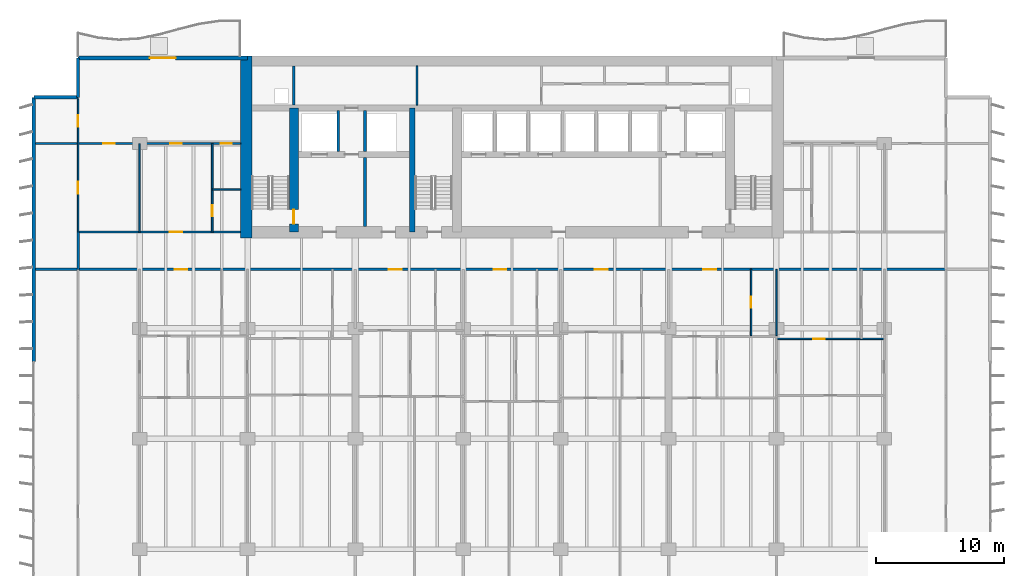
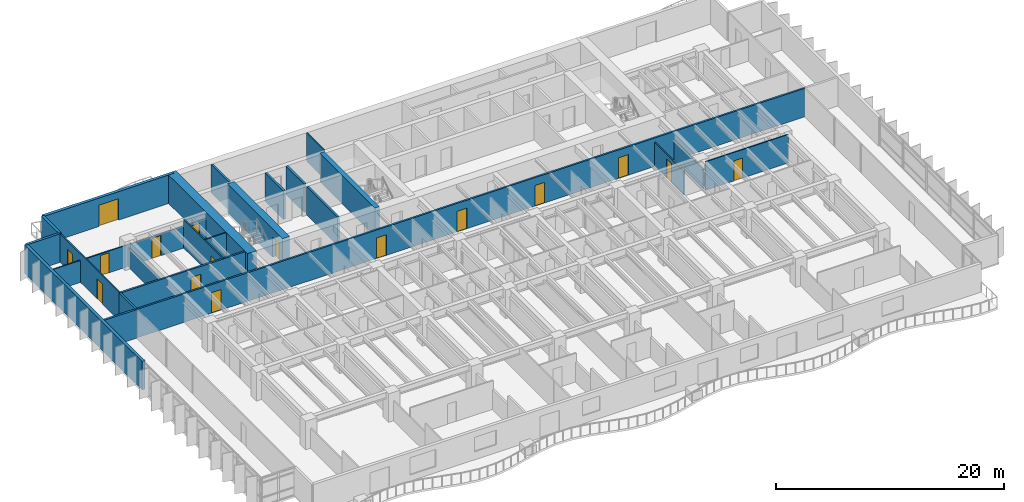
# One storey, part 10 of 18: 24 walls, 16 doors, 16 openings.
"""IFC4 building model written with IfcOpenShell, lengths in metres."""

from ifc_helpers import new_model, si_unit, direction, frame, frame_2d, origin, place, context, subcontext, project, spatial, rectangle, extrude, material, layer, layer_set, type_object, element, fill, save


model = new_model("IFC4")

# Units and contexts
model_context = context("Model", 3, precision=1e-05, world=origin(), true_north=direction((0.0, 1.0)))
body_context = subcontext(model_context, "Body", "Model", "MODEL_VIEW")
ifc_project = project(units=[si_unit("LENGTHUNIT", "METRE"), si_unit("AREAUNIT", "SQUARE_METRE"), si_unit("VOLUMEUNIT", "CUBIC_METRE"), si_unit("PLANEANGLEUNIT", "RADIAN"), si_unit("MASSUNIT", "GRAM", prefix="KILO")], contexts=[model_context])

# Site, building, storey
site_placement = place(None, origin())
site = spatial("IfcSite", under=ifc_project, at=site_placement, CompositionType="ELEMENT")
building_placement = place(site_placement, origin())
building = spatial("IfcBuilding", under=site, at=building_placement, Name="Caelmar Bay Residences", CompositionType="ELEMENT")
storey_placement = place(building_placement, frame((0.0, 0.0, 39.89990234375)))
storey = spatial("IfcBuildingStorey", under=building, at=storey_placement, Name="L09", CompositionType="ELEMENT", Elevation=39.89990234375)

# Wall, opening, door
ifc_material_1 = material(Name="Concrete f'c 55 MPa (8,000 psi)", Category="concrete")
ifc_layer_1 = layer(ifc_material_1, 0.699951171875)
ifc_layer_set_1 = layer_set([ifc_layer_1], Name="Concrete f'c 55 MPa (8,000 psi)")
wall_type_1 = type_object("IfcWallType", Name="SW-COR-700", PredefinedType="SHEAR", material=ifc_layer_set_1)
wall_1_placement = place(storey_placement, frame((21.89990234375, 36.89990234375, 0.0), z_axis=(0.0, 0.0, 1.0), x_axis=(0.0, 1.0, 0.0)))
wall_1 = element("IfcWall", 1, at=wall_1_placement, inside=storey, type_object=wall_type_1, Name="L09 Core Structural Web Wall ST1E", PredefinedType="SHEAR", context=body_context, shape_type="SweptSolid", body=[
    extrude(rectangle(XDim=9.675048828125, YDim=0.699951171875, at=frame_2d((4.83740234375, 0.0))), origin(), (0.0, 0.0, 1.0), 3.050048828125),
])
opening_1_placement = place(wall_1_placement, frame((0.64990234375, 0.0, 0.0)))
opening_1 = element("IfcOpeningElement", 2, at=opening_1_placement, cuts=wall_1, Name="Opening D-L09-108", PredefinedType="OPENING", context=body_context, shape_type="SweptSolid", body=[
    extrude(rectangle(XDim=1.10009765625, YDim=2.14990234375, at=frame_2d((0.550048828125, 1.074951171875))), frame((0.0, 0.35986328125, 0.0), z_axis=(0.0, -1.0, 0.0), x_axis=(1.0, 0.0, 0.0)), (0.0, 0.0, 1.0), 0.719970703125),
])
ifc_material_2 = material(Name="Fire-rated steel and walnut architectural door assembly", Category="steel")
ifc_layer_2 = layer(ifc_material_2, 0.050048828125)
ifc_layer_set_2 = layer_set([ifc_layer_2], Name="Fire-rated steel and walnut architectural door assembly")
door_type_1 = type_object("IfcDoorType", Name="D-STAIR-1100", OperationType="NOTDEFINED", PredefinedType="DOOR", material=ifc_layer_set_2)
door_1_placement = place(opening_1_placement, origin())
door_1 = element("IfcDoor", 3, at=door_1_placement, inside=storey, type_object=door_type_1, Name="L09 Firefighting Lobby West Door", OperationType="SINGLE_SWING_LEFT", OverallHeight=2.14990234375, OverallWidth=1.10009765625, PredefinedType="DOOR", context=body_context, shape_type="SweptSolid", body=[
    extrude(rectangle(XDim=1.10009765625, YDim=2.14990234375, at=frame_2d((0.550048828125, 1.074951171875))), frame((0.0, 0.02490234375, 0.0), z_axis=(0.0, -1.0, 0.0), x_axis=(1.0, 0.0, 0.0)), (0.0, 0.0, 1.0), 0.050048828125),
])
fill(opening_1, door_1)

# Walls
ifc_material_3 = material(Name="Concrete f'c 70 MPa (10,000 psi)", Category="concrete")
ifc_layer_3 = layer(ifc_material_3, 0.89990234375)
ifc_layer_set_3 = layer_set([ifc_layer_3], Name="Concrete f'c 70 MPa (10,000 psi)")
wall_type_2 = type_object("IfcWallType", Name="SW-COR-900", PredefinedType="SHEAR", material=ifc_layer_set_3)
wall_2_placement = place(storey_placement, frame((18.199951171875, 36.449951171875, 0.0), z_axis=(0.0, 0.0, 1.0), x_axis=(0.0, 1.0, 0.0)))
element("IfcWall", 4, at=wall_2_placement, inside=storey, type_object=wall_type_2, Name="L09 Rear Core West Shear Wall", PredefinedType="SHEAR", context=body_context, shape_type="SweptSolid", body=[
    extrude(rectangle(XDim=14.150146484375, YDim=0.89990234375, at=frame_2d((7.0751953125, 0.0))), origin(), (0.0, 0.0, 1.0), 3.050048828125),
])
ifc_layer_4 = layer(ifc_material_3, 0.449951171875)
ifc_layer_set_4 = layer_set([ifc_layer_4], Name="Concrete f'c 70 MPa (10,000 psi)")
wall_type_3 = type_object("IfcWallType", Name="SW-WEB-450", PredefinedType="SHEAR", material=ifc_layer_set_4)
wall_3_placement = place(storey_placement, frame((31.125, 36.89990234375, 0.0), z_axis=(0.0, 0.0, 1.0), x_axis=(0.0, 1.0, 0.0)))
element("IfcWall", 5, at=wall_3_placement, inside=storey, type_object=wall_type_3, Name="L09 Core Structural Web Wall ST3W", PredefinedType="SHEAR", context=body_context, shape_type="SweptSolid", body=[
    extrude(rectangle(XDim=9.675048828125, YDim=0.449951171875, at=frame_2d((4.83740234375, 0.0))), origin(), (0.0, 0.0, 1.0), 3.050048828125),
])
ifc_material_4 = material(Name="Double-stud acoustic fire-rated gypsum partition 180 mm")
ifc_layer_5 = layer(ifc_material_4, 0.179931640625)
ifc_layer_set_5 = layer_set([ifc_layer_5], Name="Double-stud acoustic fire-rated gypsum partition 180 mm")
wall_type_4 = type_object("IfcWallType", Name="W-COR-200", PredefinedType="PARTITIONING", material=ifc_layer_set_5)
wall_4_placement = place(storey_placement, frame((5.10009765625, 34.0048828125, 0.0), z_axis=(0.0, 0.0, 1.0), x_axis=(0.0, 1.0, 0.0)))
element("IfcWall", 6, at=wall_4_placement, inside=storey, type_object=wall_type_4, Name="L09 Partition Wall V006", PredefinedType="PARTITIONING", context=body_context, shape_type="SweptSolid", body=[
    extrude(rectangle(XDim=2.89501953125, YDim=0.179931640625, at=frame_2d((1.447509765625, 0.0))), origin(), (0.0, 0.0, 1.0), 3.050048828125),
])

# Wall, openings, doors
wall_5_placement = place(storey_placement, frame((5.10498046875, 34.0, 0.0), z_axis=(0.0, 0.0, 1.0), x_axis=(1.0, 0.0, 0.0)))
wall_5 = element("IfcWall", 7, at=wall_5_placement, inside=storey, type_object=wall_type_4, Name="L09 Partition Wall H132", PredefinedType="PARTITIONING", context=body_context, shape_type="SweptSolid", body=[
    extrude(rectangle(XDim=67.594970703125, YDim=0.179931640625, at=frame_2d((33.79736328125, 0.0))), origin(), (0.0, 0.0, 1.0), 3.050048828125),
])
opening_2_placement = place(wall_5_placement, frame((7.50439453125, 0.0, 0.0)))
opening_2 = element("IfcOpeningElement", 8, at=opening_2_placement, cuts=wall_5, Name="Opening D-L09-121", PredefinedType="OPENING", context=body_context, shape_type="SweptSolid", body=[
    extrude(rectangle(XDim=1.0, YDim=2.199951171875, at=frame_2d((0.5, 1.10009765625))), frame((0.0, 0.099853515625, 0.0), z_axis=(0.0, -1.0, 0.0), x_axis=(1.0, 0.0, 0.0)), (0.0, 0.0, 1.0), 0.199951171875),
])
opening_3_placement = place(wall_5_placement, frame((24.212890625, 0.0, 0.0)))
opening_3 = element("IfcOpeningElement", 9, at=opening_3_placement, cuts=wall_5, Name="Opening D-L09-132", PredefinedType="OPENING", context=body_context, shape_type="SweptSolid", body=[
    extrude(rectangle(XDim=1.0, YDim=2.199951171875, at=frame_2d((0.5, 1.10009765625))), frame((0.0, 0.099853515625, 0.0), z_axis=(0.0, -1.0, 0.0), x_axis=(1.0, 0.0, 0.0)), (0.0, 0.0, 1.0), 0.199951171875),
])
opening_4_placement = place(wall_5_placement, frame((32.364990234375, 0.0, 0.0)))
opening_4 = element("IfcOpeningElement", 10, at=opening_4_placement, cuts=wall_5, Name="Opening D-L09-139", PredefinedType="OPENING", context=body_context, shape_type="SweptSolid", body=[
    extrude(rectangle(XDim=1.0, YDim=2.199951171875, at=frame_2d((0.5, 1.10009765625))), frame((0.0, 0.099853515625, 0.0), z_axis=(0.0, -1.0, 0.0), x_axis=(1.0, 0.0, 0.0)), (0.0, 0.0, 1.0), 0.199951171875),
])
opening_5_placement = place(wall_5_placement, frame((40.239501953125, 0.0, 0.0)))
opening_5 = element("IfcOpeningElement", 11, at=opening_5_placement, cuts=wall_5, Name="Opening D-L09-146", PredefinedType="OPENING", context=body_context, shape_type="SweptSolid", body=[
    extrude(rectangle(XDim=1.0, YDim=2.199951171875, at=frame_2d((0.5, 1.10009765625))), frame((0.0, 0.099853515625, 0.0), z_axis=(0.0, -1.0, 0.0), x_axis=(1.0, 0.0, 0.0)), (0.0, 0.0, 1.0), 0.199951171875),
])
opening_6_placement = place(wall_5_placement, frame((48.70849609375, 0.0, 0.0)))
opening_6 = element("IfcOpeningElement", 12, at=opening_6_placement, cuts=wall_5, Name="Opening D-L09-153", PredefinedType="OPENING", context=body_context, shape_type="SweptSolid", body=[
    extrude(rectangle(XDim=1.0, YDim=2.199951171875, at=frame_2d((0.5, 1.10009765625))), frame((0.0, 0.099853515625, 0.0), z_axis=(0.0, -1.0, 0.0), x_axis=(1.0, 0.0, 0.0)), (0.0, 0.0, 1.0), 0.199951171875),
])
ifc_layer_6 = layer(ifc_material_2, 0.050048828125)
ifc_layer_set_6 = layer_set([ifc_layer_6], Name="Fire-rated steel and walnut architectural door assembly")
door_type_2 = type_object("IfcDoorType", Name="D-UNIT-1000", OperationType="NOTDEFINED", PredefinedType="DOOR", material=ifc_layer_set_6)
door_2_placement = place(opening_2_placement, origin())
door_2 = element("IfcDoor", 13, at=door_2_placement, inside=storey, type_object=door_type_2, Name="L09 Residence 01 Apartment Hall Door", OperationType="SINGLE_SWING_RIGHT", OverallHeight=2.199951171875, OverallWidth=1.0, PredefinedType="DOOR", context=body_context, shape_type="SweptSolid", body=[
    extrude(rectangle(XDim=1.0, YDim=2.199951171875, at=frame_2d((0.5, 1.10009765625))), frame((0.0, 0.02490234375, 0.0), z_axis=(0.0, -1.0, 0.0), x_axis=(1.0, 0.0, 0.0)), (0.0, 0.0, 1.0), 0.050048828125),
])
fill(opening_2, door_2)
door_3_placement = place(opening_3_placement, origin())
door_3 = element("IfcDoor", 14, at=door_3_placement, inside=storey, type_object=door_type_2, Name="L09 Residence 02 Apartment Hall Door", OperationType="SINGLE_SWING_LEFT", OverallHeight=2.199951171875, OverallWidth=1.0, PredefinedType="DOOR", context=body_context, shape_type="SweptSolid", body=[
    extrude(rectangle(XDim=1.0, YDim=2.199951171875, at=frame_2d((0.5, 1.10009765625))), frame((0.0, 0.02490234375, 0.0), z_axis=(0.0, -1.0, 0.0), x_axis=(1.0, 0.0, 0.0)), (0.0, 0.0, 1.0), 0.050048828125),
])
fill(opening_3, door_3)
door_4_placement = place(opening_4_placement, origin())
door_4 = element("IfcDoor", 15, at=door_4_placement, inside=storey, type_object=door_type_2, Name="L09 Residence 03 Apartment Hall Door", OperationType="SINGLE_SWING_RIGHT", OverallHeight=2.199951171875, OverallWidth=1.0, PredefinedType="DOOR", context=body_context, shape_type="SweptSolid", body=[
    extrude(rectangle(XDim=1.0, YDim=2.199951171875, at=frame_2d((0.5, 1.10009765625))), frame((0.0, 0.02490234375, 0.0), z_axis=(0.0, -1.0, 0.0), x_axis=(1.0, 0.0, 0.0)), (0.0, 0.0, 1.0), 0.050048828125),
])
fill(opening_4, door_4)
door_5_placement = place(opening_5_placement, origin())
door_5 = element("IfcDoor", 16, at=door_5_placement, inside=storey, type_object=door_type_2, Name="L09 Residence 04 Apartment Hall Door", OperationType="SINGLE_SWING_LEFT", OverallHeight=2.199951171875, OverallWidth=1.0, PredefinedType="DOOR", context=body_context, shape_type="SweptSolid", body=[
    extrude(rectangle(XDim=1.0, YDim=2.199951171875, at=frame_2d((0.5, 1.10009765625))), frame((0.0, 0.02490234375, 0.0), z_axis=(0.0, -1.0, 0.0), x_axis=(1.0, 0.0, 0.0)), (0.0, 0.0, 1.0), 0.050048828125),
])
fill(opening_5, door_5)
door_6_placement = place(opening_6_placement, origin())
door_6 = element("IfcDoor", 17, at=door_6_placement, inside=storey, type_object=door_type_2, Name="L09 Residence 05 Apartment Hall Door", OperationType="SINGLE_SWING_RIGHT", OverallHeight=2.199951171875, OverallWidth=1.0, PredefinedType="DOOR", context=body_context, shape_type="SweptSolid", body=[
    extrude(rectangle(XDim=1.0, YDim=2.199951171875, at=frame_2d((0.5, 1.10009765625))), frame((0.0, 0.02490234375, 0.0), z_axis=(0.0, -1.0, 0.0), x_axis=(1.0, 0.0, 0.0)), (0.0, 0.0, 1.0), 0.050048828125),
])
fill(opening_6, door_6)

# Wall, opening, door
wall_6_placement = place(storey_placement, frame((5.10009765625, 36.89990234375, 0.0), z_axis=(0.0, 0.0, 1.0), x_axis=(1.0, 0.0, 0.0)))
wall_6 = element("IfcWall", 18, at=wall_6_placement, inside=storey, type_object=wall_type_4, Name="L09 Partition Wall H134", PredefinedType="PARTITIONING", context=body_context, shape_type="SweptSolid", body=[
    extrude(rectangle(XDim=12.64501953125, YDim=0.179931640625, at=frame_2d((6.322509765625, 0.0))), origin(), (0.0, 0.0, 1.0), 3.050048828125),
])
opening_7_placement = place(wall_6_placement, frame((7.125, 0.0, 0.0)))
opening_7 = element("IfcOpeningElement", 19, at=opening_7_placement, cuts=wall_6, Name="Opening D-L09-167", PredefinedType="OPENING", context=body_context, shape_type="SweptSolid", body=[
    extrude(rectangle(XDim=1.0, YDim=2.199951171875, at=frame_2d((0.5, 1.10009765625))), frame((0.0, 0.099853515625, 0.0), z_axis=(0.0, -1.0, 0.0), x_axis=(1.0, 0.0, 0.0)), (0.0, 0.0, 1.0), 0.199951171875),
])
door_7_placement = place(opening_7_placement, origin())
door_7 = element("IfcDoor", 20, at=door_7_placement, inside=storey, type_object=door_type_2, Name="L09 Residence WA Kitchen Door", OperationType="SINGLE_SWING_RIGHT", OverallHeight=2.199951171875, OverallWidth=1.0, PredefinedType="DOOR", context=body_context, shape_type="SweptSolid", body=[
    extrude(rectangle(XDim=1.0, YDim=2.199951171875, at=frame_2d((0.5, 1.10009765625))), frame((0.0, 0.02490234375, 0.0), z_axis=(0.0, -1.0, 0.0), x_axis=(1.0, 0.0, 0.0)), (0.0, 0.0, 1.0), 0.050048828125),
])
fill(opening_7, door_7)

# Walls
ifc_material_5 = material(Name="Precast concrete f'c 40 MPa (6,000 psi)", Category="concrete")
ifc_layer_7 = layer(ifc_material_5, 0.25)
ifc_layer_set_7 = layer_set([ifc_layer_7], Name="Precast concrete f'c 40 MPa (6,000 psi)")
wall_type_5 = type_object("IfcWallType", Name="W-EXT-250", PredefinedType="ELEMENTEDWALL", material=ifc_layer_set_7)
wall_7_placement = place(storey_placement, frame((1.64990234375, 47.39990234375, 0.0), z_axis=(0.0, 0.0, 1.0), x_axis=(1.0, 0.0, 0.0)))
element("IfcWall", 21, at=wall_7_placement, inside=storey, type_object=wall_type_5, Name="L09 NNW-H Notch Wall", PredefinedType="ELEMENTEDWALL", context=body_context, shape_type="SweptSolid", body=[
    extrude(rectangle(XDim=3.4501953125, YDim=0.25, at=frame_2d((1.72509765625, 0.0))), origin(), (0.0, 0.0, 1.0), 3.050048828125),
])
wall_8_placement = place(storey_placement, frame((5.10009765625, 47.39990234375, 0.0), z_axis=(0.0, 0.0, 1.0), x_axis=(0.0, 1.0, 0.0)))
element("IfcWall", 22, at=wall_8_placement, inside=storey, type_object=wall_type_5, Name="L09 NNW-V Notch Wall", PredefinedType="ELEMENTEDWALL", context=body_context, shape_type="SweptSolid", body=[
    extrude(rectangle(XDim=3.050048828125, YDim=0.25, at=frame_2d((1.52490234375, 0.0))), origin(), (0.0, 0.0, 1.0), 3.050048828125),
])
ifc_layer_8 = layer(ifc_material_5, 0.300048828125)
ifc_layer_set_8 = layer_set([ifc_layer_8], Name="Precast concrete f'c 40 MPa (6,000 psi)")
wall_type_6 = type_object("IfcWallType", Name="W-EXT-300", PredefinedType="STANDARD", material=ifc_layer_set_8)
wall_9_placement = place(storey_placement, frame((1.64990234375, 26.800048828125, 0.0), z_axis=(0.0, 0.0, 1.0), x_axis=(0.0, 1.0, 0.0)))
element("IfcWall", 23, at=wall_9_placement, inside=storey, type_object=wall_type_6, Name="L09 West Rear Exterior Wall", PredefinedType="STANDARD", context=body_context, shape_type="SweptSolid", body=[
    extrude(rectangle(XDim=20.599853515625, YDim=0.300048828125, at=frame_2d((10.2998046875, 0.0))), origin(), (0.0, 0.0, 1.0), 3.050048828125),
])

# Wall, opening, door
wall_10_placement = place(storey_placement, frame((5.10009765625, 50.449951171875, 0.0), z_axis=(0.0, 0.0, 1.0), x_axis=(1.0, 0.0, 0.0)))
wall_10 = element("IfcWall", 24, at=wall_10_placement, inside=storey, type_object=wall_type_6, Name="L09 North-West Wing Exterior Wall", PredefinedType="STANDARD", context=body_context, shape_type="SweptSolid", body=[
    extrude(rectangle(XDim=13.199951171875, YDim=0.300048828125, at=frame_2d((6.60009765625, 0.0))), origin(), (0.0, 0.0, 1.0), 3.050048828125),
])
opening_8_placement = place(wall_10_placement, frame((5.60009765625, 0.0, 0.0)))
opening_8 = element("IfcOpeningElement", 25, at=opening_8_placement, cuts=wall_10, Name="Opening L09-BDNW", PredefinedType="OPENING", context=body_context, shape_type="SweptSolid", body=[
    extrude(rectangle(XDim=2.0, YDim=2.300048828125, at=frame_2d((1.0, 1.14990234375))), frame((0.0, 0.159912109375, 0.0), z_axis=(0.0, -1.0, 0.0), x_axis=(1.0, 0.0, 0.0)), (0.0, 0.0, 1.0), 0.320068359375),
])
ifc_material_6 = material(Name="Anodised bronze thermally broken sliding glass door", Category="glass")
ifc_layer_9 = layer(ifc_material_6, 0.050048828125)
ifc_layer_set_9 = layer_set([ifc_layer_9], Name="Anodised bronze thermally broken sliding glass door")
door_type_3 = type_object("IfcDoorType", Name="D-BAL-2000", OperationType="DOUBLE_DOOR_SLIDING", PredefinedType="DOOR", material=ifc_layer_set_9)
door_8_placement = place(opening_8_placement, origin())
door_8 = element("IfcDoor", 26, at=door_8_placement, inside=storey, type_object=door_type_3, Name="L09 North-West Balcony Door", OperationType="DOUBLE_DOOR_SLIDING", OverallHeight=2.300048828125, OverallWidth=2.0, PredefinedType="DOOR", context=body_context, shape_type="SweptSolid", body=[
    extrude(rectangle(XDim=2.0, YDim=2.300048828125, at=frame_2d((1.0, 1.14990234375))), frame((0.0, 0.02490234375, 0.0), z_axis=(0.0, -1.0, 0.0), x_axis=(1.0, 0.0, 0.0)), (0.0, 0.0, 1.0), 0.050048828125),
])
fill(opening_8, door_8)

# Walls
ifc_material_7 = material(Name="Fire-rated masonry and gypsum shaftliner assembly 200 mm", Category="masonry")
ifc_layer_10 = layer(ifc_material_7, 0.199951171875)
ifc_layer_set_10 = layer_set([ifc_layer_10], Name="Fire-rated masonry and gypsum shaftliner assembly 200 mm")
wall_type_7 = type_object("IfcWallType", Name="W-FSAE-200", PredefinedType="PARTITIONING", material=ifc_layer_set_10)
wall_11_placement = place(storey_placement, frame((21.89990234375, 46.794921875, 0.0), z_axis=(0.0, 0.0, 1.0), x_axis=(0.0, 1.0, 0.0)))
element("IfcWall", 27, at=wall_11_placement, inside=storey, type_object=wall_type_7, Name="L09 Partition Wall V026", PredefinedType="PARTITIONING", context=body_context, shape_type="SweptSolid", body=[
    extrude(rectangle(XDim=3.06005859375, YDim=0.199951171875, at=frame_2d((1.530029296875, 0.0))), origin(), (0.0, 0.0, 1.0), 3.050048828125),
])
wall_12_placement = place(storey_placement, frame((25.35009765625, 43.169921875, 0.0), z_axis=(0.0, 0.0, 1.0), x_axis=(0.0, 1.0, 0.0)))
element("IfcWall", 28, at=wall_12_placement, inside=storey, type_object=wall_type_7, Name="L09 Partition Wall V029", PredefinedType="PARTITIONING", context=body_context, shape_type="SweptSolid", body=[
    extrude(rectangle(XDim=3.18505859375, YDim=0.199951171875, at=frame_2d((1.592529296875, 0.0))), origin(), (0.0, 0.0, 1.0), 3.050048828125),
])
wall_13_placement = place(storey_placement, frame((27.449951171875, 37.344970703125, 0.0), z_axis=(0.0, 0.0, 1.0), x_axis=(0.0, 1.0, 0.0)))
element("IfcWall", 29, at=wall_13_placement, inside=storey, type_object=wall_type_7, Name="L09 Partition Wall V033", PredefinedType="PARTITIONING", context=body_context, shape_type="SweptSolid", body=[
    extrude(rectangle(XDim=5.385009765625, YDim=0.199951171875, at=frame_2d((2.6923828125, 0.0))), origin(), (0.0, 0.0, 1.0), 3.050048828125),
])
wall_14_placement = place(storey_placement, frame((27.449951171875, 43.169921875, 0.0), z_axis=(0.0, 0.0, 1.0), x_axis=(0.0, 1.0, 0.0)))
element("IfcWall", 30, at=wall_14_placement, inside=storey, type_object=wall_type_7, Name="L09 Partition Wall V034", PredefinedType="PARTITIONING", context=body_context, shape_type="SweptSolid", body=[
    extrude(rectangle(XDim=3.18505859375, YDim=0.199951171875, at=frame_2d((1.592529296875, 0.0))), origin(), (0.0, 0.0, 1.0), 3.050048828125),
])

# Wall, openings, doors
ifc_material_8 = material(Name="Acoustic metal-stud gypsum partition 120 mm")
ifc_layer_11 = layer(ifc_material_8, 0.1201171875)
ifc_layer_set_11 = layer_set([ifc_layer_11], Name="Acoustic metal-stud gypsum partition 120 mm")
wall_type_8 = type_object("IfcWallType", Name="W-PRT-120", PredefinedType="PARTITIONING", material=ifc_layer_set_11)
wall_15_placement = place(storey_placement, frame((5.10009765625, 36.905029296875, 0.0), z_axis=(0.0, 0.0, 1.0), x_axis=(0.0, 1.0, 0.0)))
wall_15 = element("IfcWall", 31, at=wall_15_placement, inside=storey, type_object=wall_type_8, Name="L09 Partition Wall V007", PredefinedType="PARTITIONING", context=body_context, shape_type="SweptSolid", body=[
    extrude(rectangle(XDim=10.375, YDim=0.1201171875, at=frame_2d((5.1875, 0.0))), origin(), (0.0, 0.0, 1.0), 3.050048828125),
])
opening_9_placement = place(wall_15_placement, frame((2.99755859375, 0.0, 0.0)))
opening_9 = element("IfcOpeningElement", 32, at=opening_9_placement, cuts=wall_15, Name="Opening D-L09-171", PredefinedType="OPENING", context=body_context, shape_type="SweptSolid", body=[
    extrude(rectangle(XDim=0.89990234375, YDim=2.14990234375, at=frame_2d((0.449951171875, 1.074951171875))), frame((0.0, 0.070068359375, 0.0), z_axis=(0.0, -1.0, 0.0), x_axis=(1.0, 0.0, 0.0)), (0.0, 0.0, 1.0), 0.14013671875),
])
opening_10_placement = place(wall_15_placement, frame((8.18505859375, 0.0, 0.0)))
opening_10 = element("IfcOpeningElement", 33, at=opening_10_placement, cuts=wall_15, Name="Opening D-L09-172", PredefinedType="OPENING", context=body_context, shape_type="SweptSolid", body=[
    extrude(rectangle(XDim=0.89990234375, YDim=2.14990234375, at=frame_2d((0.449951171875, 1.074951171875))), frame((0.0, 0.070068359375, 0.0), z_axis=(0.0, -1.0, 0.0), x_axis=(1.0, 0.0, 0.0)), (0.0, 0.0, 1.0), 0.14013671875),
])
ifc_material_9 = material(Name="Solid walnut timber interior door leaf and frame", Category="wood")
ifc_layer_12 = layer(ifc_material_9, 0.050048828125)
ifc_layer_set_12 = layer_set([ifc_layer_12], Name="Solid walnut timber interior door leaf and frame")
door_type_4 = type_object("IfcDoorType", Name="D-ROOM-900", OperationType="NOTDEFINED", PredefinedType="DOOR", material=ifc_layer_set_12)
door_9_placement = place(opening_9_placement, origin())
door_9 = element("IfcDoor", 34, at=door_9_placement, inside=storey, type_object=door_type_4, Name="L09 Residence WA Sun Study Door", OperationType="SINGLE_SWING_RIGHT", OverallHeight=2.14990234375, OverallWidth=0.89990234375, PredefinedType="DOOR", context=body_context, shape_type="SweptSolid", body=[
    extrude(rectangle(XDim=0.89990234375, YDim=2.14990234375, at=frame_2d((0.449951171875, 1.074951171875))), frame((0.0, 0.02490234375, 0.0), z_axis=(0.0, -1.0, 0.0), x_axis=(1.0, 0.0, 0.0)), (0.0, 0.0, 1.0), 0.050048828125),
])
fill(opening_9, door_9)
door_10_placement = place(opening_10_placement, origin())
door_10 = element("IfcDoor", 35, at=door_10_placement, inside=storey, type_object=door_type_4, Name="L09 Residence WA North Sitting Alcove Door", OperationType="SINGLE_SWING_LEFT", OverallHeight=2.14990234375, OverallWidth=0.89990234375, PredefinedType="DOOR", context=body_context, shape_type="SweptSolid", body=[
    extrude(rectangle(XDim=0.89990234375, YDim=2.14990234375, at=frame_2d((0.449951171875, 1.074951171875))), frame((0.0, 0.02490234375, 0.0), z_axis=(0.0, -1.0, 0.0), x_axis=(1.0, 0.0, 0.0)), (0.0, 0.0, 1.0), 0.050048828125),
])
fill(opening_10, door_10)

# Wall
wall_16_placement = place(storey_placement, frame((9.89990234375, 36.89990234375, 0.0), z_axis=(0.0, 0.0, 1.0), x_axis=(0.0, 1.0, 0.0)))
element("IfcWall", 36, at=wall_16_placement, inside=storey, type_object=wall_type_8, Name="L09 Partition Wall V014", PredefinedType="PARTITIONING", context=body_context, shape_type="SweptSolid", body=[
    extrude(rectangle(XDim=6.900146484375, YDim=0.1201171875, at=frame_2d((3.4501953125, 0.0))), origin(), (0.0, 0.0, 1.0), 2.110107421875),
])

# Wall, opening, door
wall_17_placement = place(storey_placement, frame((15.550048828125, 36.89990234375, 0.0), z_axis=(0.0, 0.0, 1.0), x_axis=(0.0, 1.0, 0.0)))
wall_17 = element("IfcWall", 37, at=wall_17_placement, inside=storey, type_object=wall_type_8, Name="L09 Partition Wall V018", PredefinedType="PARTITIONING", context=body_context, shape_type="SweptSolid", body=[
    extrude(rectangle(XDim=6.900146484375, YDim=0.1201171875, at=frame_2d((3.4501953125, 0.0))), origin(), (0.0, 0.0, 1.0), 3.050048828125),
])
opening_11_placement = place(wall_17_placement, frame((1.23095703125, 0.0, 0.0)))
opening_11 = element("IfcOpeningElement", 38, at=opening_11_placement, cuts=wall_17, Name="Opening D-L09-169", PredefinedType="OPENING", context=body_context, shape_type="SweptSolid", body=[
    extrude(rectangle(XDim=0.85009765625, YDim=2.10009765625, at=frame_2d((0.425048828125, 1.050048828125))), frame((0.0, 0.070068359375, 0.0), z_axis=(0.0, -1.0, 0.0), x_axis=(1.0, 0.0, 0.0)), (0.0, 0.0, 1.0), 0.14013671875),
])
ifc_layer_13 = layer(ifc_material_9, 0.050048828125)
ifc_layer_set_13 = layer_set([ifc_layer_13], Name="Solid walnut timber interior door leaf and frame")
door_type_5 = type_object("IfcDoorType", Name="D-BATH-850", OperationType="NOTDEFINED", PredefinedType="DOOR", material=ifc_layer_set_13)
door_11_placement = place(opening_11_placement, origin())
door_11 = element("IfcDoor", 39, at=door_11_placement, inside=storey, type_object=door_type_5, Name="L09 Residence WA Walk-In Closet Door", OperationType="SINGLE_SWING_RIGHT", OverallHeight=2.10009765625, OverallWidth=0.85009765625, PredefinedType="DOOR", context=body_context, shape_type="SweptSolid", body=[
    extrude(rectangle(XDim=0.85009765625, YDim=2.10009765625, at=frame_2d((0.425048828125, 1.050048828125))), frame((0.0, 0.02490234375, 0.0), z_axis=(0.0, -1.0, 0.0), x_axis=(1.0, 0.0, 0.0)), (0.0, 0.0, 1.0), 0.050048828125),
])
fill(opening_11, door_11)

# Wall
wall_18_placement = place(storey_placement, frame((31.5, 46.794921875, 0.0), z_axis=(0.0, 0.0, 1.0), x_axis=(0.0, 1.0, 0.0)))
element("IfcWall", 40, at=wall_18_placement, inside=storey, type_object=wall_type_8, Name="L09 Partition Wall V042", PredefinedType="PARTITIONING", context=body_context, shape_type="SweptSolid", body=[
    extrude(rectangle(XDim=3.06005859375, YDim=0.1201171875, at=frame_2d((1.530029296875, 0.0))), origin(), (0.0, 0.0, 1.0), 3.050048828125),
])

# Wall, opening, door
wall_19_placement = place(storey_placement, frame((57.527099609375, 28.840087890625, 0.0), z_axis=(0.0, 0.0, 1.0), x_axis=(0.0, 1.0, 0.0)))
wall_19 = element("IfcWall", 41, at=wall_19_placement, inside=storey, type_object=wall_type_8, Name="L09 Partition Wall V088", PredefinedType="PARTITIONING", context=body_context, shape_type="SweptSolid", body=[
    extrude(rectangle(XDim=5.159912109375, YDim=0.1201171875, at=frame_2d((2.580078125, 0.0))), origin(), (0.0, 0.0, 1.0), 2.578125),
])
opening_12_placement = place(wall_19_placement, frame((2.155029296875, 0.0, 0.0)))
opening_12 = element("IfcOpeningElement", 42, at=opening_12_placement, cuts=wall_19, Name="Opening D-L09-154", PredefinedType="OPENING", context=body_context, shape_type="SweptSolid", body=[
    extrude(rectangle(XDim=0.85009765625, YDim=2.10009765625, at=frame_2d((0.425048828125, 1.050048828125))), frame((0.0, 0.070068359375, 0.0), z_axis=(0.0, -1.0, 0.0), x_axis=(1.0, 0.0, 0.0)), (0.0, 0.0, 1.0), 0.14013671875),
])
door_12_placement = place(opening_12_placement, origin())
door_12 = element("IfcDoor", 43, at=door_12_placement, inside=storey, type_object=door_type_5, Name="L09 Residence 05 Guest Bathroom Door", OperationType="SINGLE_SWING_LEFT", OverallHeight=2.10009765625, OverallWidth=0.85009765625, PredefinedType="DOOR", context=body_context, shape_type="SweptSolid", body=[
    extrude(rectangle(XDim=0.85009765625, YDim=2.10009765625, at=frame_2d((0.425048828125, 1.050048828125))), frame((0.0, 0.02490234375, 0.0), z_axis=(0.0, -1.0, 0.0), x_axis=(1.0, 0.0, 0.0)), (0.0, 0.0, 1.0), 0.050048828125),
])
fill(opening_12, door_12)

# Wall
wall_20_placement = place(storey_placement, frame((59.5, 28.840087890625, 0.0), z_axis=(0.0, 0.0, 1.0), x_axis=(0.0, 1.0, 0.0)))
element("IfcWall", 44, at=wall_20_placement, inside=storey, type_object=wall_type_8, Name="L09 Partition Wall V094", PredefinedType="PARTITIONING", context=body_context, shape_type="SweptSolid", body=[
    extrude(rectangle(XDim=5.159912109375, YDim=0.1201171875, at=frame_2d((2.580078125, 0.0))), origin(), (0.0, 0.0, 1.0), 2.110107421875),
])

# Wall, opening, door
wall_21_placement = place(storey_placement, frame((59.5, 28.580078125, 0.0), z_axis=(0.0, 0.0, 1.0), x_axis=(1.0, 0.0, 0.0)))
wall_21 = element("IfcWall", 45, at=wall_21_placement, inside=storey, type_object=wall_type_8, Name="L09 Partition Wall H124", PredefinedType="PARTITIONING", context=body_context, shape_type="SweptSolid", body=[
    extrude(rectangle(XDim=8.39990234375, YDim=0.1201171875, at=frame_2d((4.199951171875, 0.0))), origin(), (0.0, 0.0, 1.0), 3.050048828125),
])
opening_13_placement = place(wall_21_placement, frame((2.864501953125, 0.0, 0.0)))
opening_13 = element("IfcOpeningElement", 46, at=opening_13_placement, cuts=wall_21, Name="Opening D-L09-159", PredefinedType="OPENING", context=body_context, shape_type="SweptSolid", body=[
    extrude(rectangle(XDim=0.89990234375, YDim=2.14990234375, at=frame_2d((0.449951171875, 1.074951171875))), frame((0.0, 0.070068359375, 0.0), z_axis=(0.0, -1.0, 0.0), x_axis=(1.0, 0.0, 0.0)), (0.0, 0.0, 1.0), 0.14013671875),
])
door_13_placement = place(opening_13_placement, origin())
door_13 = element("IfcDoor", 47, at=door_13_placement, inside=storey, type_object=door_type_4, Name="L09 Residence 05 Home Office 1 Door", OperationType="SINGLE_SWING_RIGHT", OverallHeight=2.14990234375, OverallWidth=0.89990234375, PredefinedType="DOOR", context=body_context, shape_type="SweptSolid", body=[
    extrude(rectangle(XDim=0.89990234375, YDim=2.14990234375, at=frame_2d((0.449951171875, 1.074951171875))), frame((0.0, 0.02490234375, 0.0), z_axis=(0.0, -1.0, 0.0), x_axis=(1.0, 0.0, 0.0)), (0.0, 0.0, 1.0), 0.050048828125),
])
fill(opening_13, door_13)

# Wall
wall_22_placement = place(storey_placement, frame((15.550048828125, 40.2119140625, 0.0), z_axis=(0.0, 0.0, 1.0), x_axis=(1.0, 0.0, 0.0)))
element("IfcWall", 48, at=wall_22_placement, inside=storey, type_object=wall_type_8, Name="L09 Partition Wall H136", PredefinedType="PARTITIONING", context=body_context, shape_type="SweptSolid", body=[
    extrude(rectangle(XDim=2.204833984375, YDim=0.1201171875, at=frame_2d((1.1025390625, 0.0))), origin(), (0.0, 0.0, 1.0), 3.050048828125),
])

# Wall, openings, doors
wall_23_placement = place(storey_placement, frame((1.794921875, 43.800048828125, 0.0), z_axis=(0.0, 0.0, 1.0), x_axis=(1.0, 0.0, 0.0)))
wall_23 = element("IfcWall", 49, at=wall_23_placement, inside=storey, type_object=wall_type_8, Name="L09 Partition Wall H138", PredefinedType="PARTITIONING", context=body_context, shape_type="SweptSolid", body=[
    extrude(rectangle(XDim=15.9599609375, YDim=0.1201171875, at=frame_2d((7.97998046875, 0.0))), origin(), (0.0, 0.0, 1.0), 2.339111328125),
])
opening_14_placement = place(wall_23_placement, frame((5.2548828125, 0.0, 0.0)))
opening_14 = element("IfcOpeningElement", 50, at=opening_14_placement, cuts=wall_23, Name="Opening D-L09-166", PredefinedType="OPENING", context=body_context, shape_type="SweptSolid", body=[
    extrude(rectangle(XDim=0.89990234375, YDim=2.14990234375, at=frame_2d((0.449951171875, 1.074951171875))), frame((0.0, 0.070068359375, 0.0), z_axis=(0.0, -1.0, 0.0), x_axis=(1.0, 0.0, 0.0)), (0.0, 0.0, 1.0), 0.14013671875),
])
opening_15_placement = place(wall_23_placement, frame((10.47998046875, 0.0, 0.0)))
opening_15 = element("IfcOpeningElement", 51, at=opening_15_placement, cuts=wall_23, Name="Opening D-L09-168", PredefinedType="OPENING", context=body_context, shape_type="SweptSolid", body=[
    extrude(rectangle(XDim=0.89990234375, YDim=2.14990234375, at=frame_2d((0.449951171875, 1.074951171875))), frame((0.0, 0.070068359375, 0.0), z_axis=(0.0, -1.0, 0.0), x_axis=(1.0, 0.0, 0.0)), (0.0, 0.0, 1.0), 0.14013671875),
])
opening_16_placement = place(wall_23_placement, frame((14.4326171875, 0.0, 0.0)))
opening_16 = element("IfcOpeningElement", 52, at=opening_16_placement, cuts=wall_23, Name="Opening D-L09-170", PredefinedType="OPENING", context=body_context, shape_type="SweptSolid", body=[
    extrude(rectangle(XDim=0.85009765625, YDim=2.10009765625, at=frame_2d((0.425048828125, 1.050048828125))), frame((0.0, 0.070068359375, 0.0), z_axis=(0.0, -1.0, 0.0), x_axis=(1.0, 0.0, 0.0)), (0.0, 0.0, 1.0), 0.14013671875),
])
door_14_placement = place(opening_16_placement, origin())
door_14 = element("IfcDoor", 53, at=door_14_placement, inside=storey, type_object=door_type_5, Name="L09 Residence WA Bathroom Door", OperationType="SINGLE_SWING_LEFT", OverallHeight=2.10009765625, OverallWidth=0.85009765625, PredefinedType="DOOR", context=body_context, shape_type="SweptSolid", body=[
    extrude(rectangle(XDim=0.85009765625, YDim=2.10009765625, at=frame_2d((0.425048828125, 1.050048828125))), frame((0.0, 0.02490234375, 0.0), z_axis=(0.0, -1.0, 0.0), x_axis=(1.0, 0.0, 0.0)), (0.0, 0.0, 1.0), 0.050048828125),
])
fill(opening_16, door_14)
door_15_placement = place(opening_14_placement, origin())
door_15 = element("IfcDoor", 54, at=door_15_placement, inside=storey, type_object=door_type_4, Name="L09 Residence WA Study Door", OperationType="SINGLE_SWING_LEFT", OverallHeight=2.14990234375, OverallWidth=0.89990234375, PredefinedType="DOOR", context=body_context, shape_type="SweptSolid", body=[
    extrude(rectangle(XDim=0.89990234375, YDim=2.14990234375, at=frame_2d((0.449951171875, 1.074951171875))), frame((0.0, 0.02490234375, 0.0), z_axis=(0.0, -1.0, 0.0), x_axis=(1.0, 0.0, 0.0)), (0.0, 0.0, 1.0), 0.050048828125),
])
fill(opening_14, door_15)
door_16_placement = place(opening_15_placement, origin())
door_16 = element("IfcDoor", 55, at=door_16_placement, inside=storey, type_object=door_type_4, Name="L09 Residence WA Studio Living and Sleeping Room Door", OperationType="SINGLE_SWING_LEFT", OverallHeight=2.14990234375, OverallWidth=0.89990234375, PredefinedType="DOOR", context=body_context, shape_type="SweptSolid", body=[
    extrude(rectangle(XDim=0.89990234375, YDim=2.14990234375, at=frame_2d((0.449951171875, 1.074951171875))), frame((0.0, 0.02490234375, 0.0), z_axis=(0.0, -1.0, 0.0), x_axis=(1.0, 0.0, 0.0)), (0.0, 0.0, 1.0), 0.050048828125),
])
fill(opening_15, door_16)

# Wall
ifc_material_10 = material(Name="Acoustic twin-stud fire-rated inter-tenancy partition 200 mm")
ifc_layer_14 = layer(ifc_material_10, 0.199951171875)
ifc_layer_set_14 = layer_set([ifc_layer_14], Name="Acoustic twin-stud fire-rated inter-tenancy partition 200 mm")
wall_type_9 = type_object("IfcWallType", Name="W-PTY-200", PredefinedType="PARTITIONING", material=ifc_layer_set_14)
wall_24_placement = place(storey_placement, frame((1.794921875, 34.0, 0.0), z_axis=(0.0, 0.0, 1.0), x_axis=(1.0, 0.0, 0.0)))
element("IfcWall", 56, at=wall_24_placement, inside=storey, type_object=wall_type_9, Name="L09 Partition Wall H131", PredefinedType="PARTITIONING", context=body_context, shape_type="SweptSolid", body=[
    extrude(rectangle(XDim=3.30517578125, YDim=0.199951171875, at=frame_2d((1.652587890625, 0.0))), origin(), (0.0, 0.0, 1.0), 3.050048828125),
])

save(model, "model.ifc")
